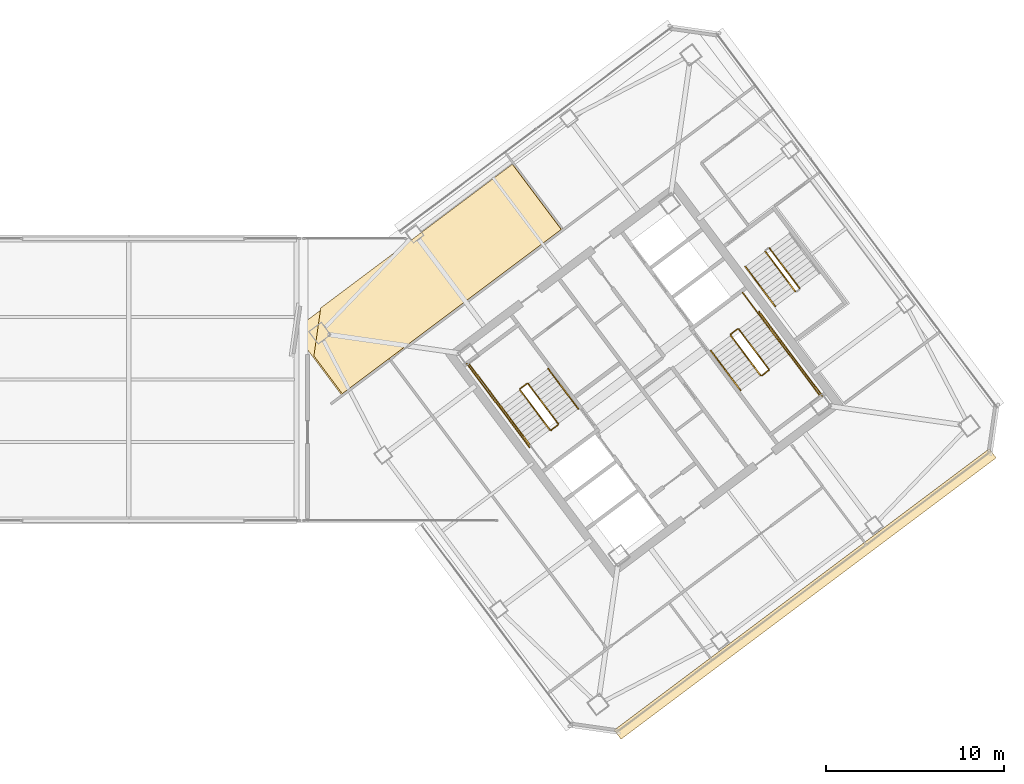
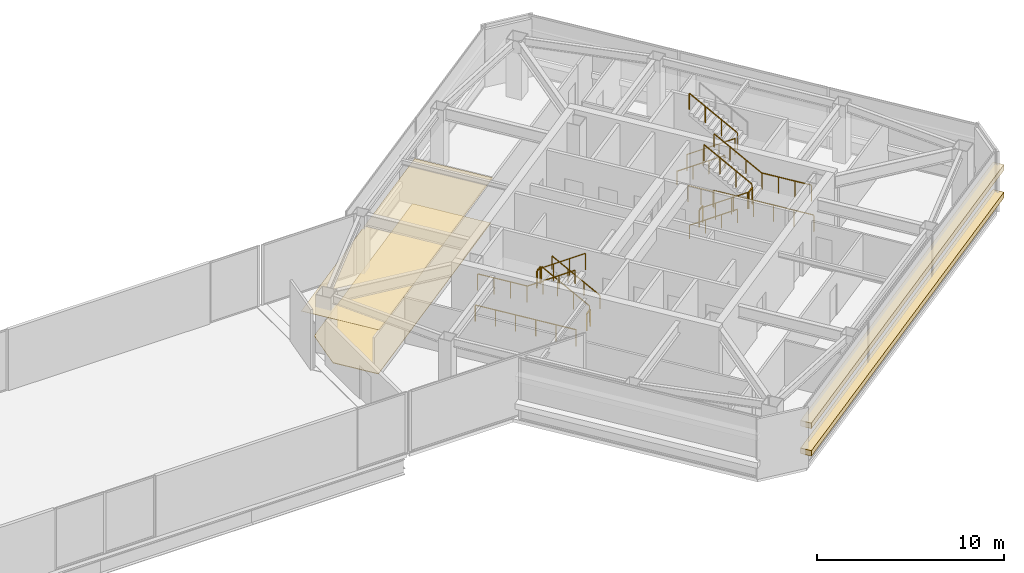
# One storey, part 48 of 51: 20 railings, 4 coverings.
"""IFC4 building model written with IfcOpenShell, lengths in metres."""

from ifc_helpers import new_model, si_unit, direction, frame, origin, origin_2d, place, context, subcontext, project, spatial, polyline, rectangle, outline, extrude, material, layer, layer_set, type_object, element, save


model = new_model("IFC4")

# Units and contexts
model_context = context("Model", 3, precision=1e-05, world=origin(), true_north=direction((0.0, 1.0)))
body_context = subcontext(model_context, "Body", "Model", "MODEL_VIEW")
ifc_project = project(units=[si_unit("LENGTHUNIT", "METRE"), si_unit("AREAUNIT", "SQUARE_METRE"), si_unit("VOLUMEUNIT", "CUBIC_METRE"), si_unit("PLANEANGLEUNIT", "RADIAN"), si_unit("MASSUNIT", "GRAM", prefix="KILO")], contexts=[model_context])

# Site, building, storey
site_placement = place(None, origin())
site = spatial("IfcSite", under=ifc_project, at=site_placement, CompositionType="ELEMENT")
building_placement = place(site_placement, origin())
building = spatial("IfcBuilding", under=site, at=building_placement, Name="Tashvorn Skyway Center", CompositionType="ELEMENT")
storey_placement = place(building_placement, frame((0.0, 0.0, 251.39990234375)))
storey = spatial("IfcBuildingStorey", under=building, at=storey_placement, Name="L68", CompositionType="ELEMENT", Elevation=251.39990234375)

# Coverings
ifc_material_1 = material(Name="Mineral-fibre acoustic ceiling tile on suspended grid")
ifc_layer_1 = layer(ifc_material_1, 0.02001953125)
ifc_layer_set_1 = layer_set([ifc_layer_1], Name="Mineral-fibre acoustic ceiling tile on suspended grid")
covering_type_1 = type_object("IfcCoveringType", Name="COV-CEIL-20", PredefinedType="CEILING", material=ifc_layer_set_1)
covering_1_placement = place(storey_placement, frame((0.0, 0.0, 2.951171875)))
element("IfcCovering", 1, at=covering_1_placement, inside=storey, type_object=covering_type_1, Name="Tower 2 L68 Executive Suite Acoustic Ceiling", PredefinedType="CEILING", context=body_context, shape_type="SweptSolid", body=[
    extrude(outline(polyline([(97.050048828125, 31.10009765625), (109.449951171875, 40.39990234375), (106.719970703125, 44.0400390625), (94.320068359375, 34.739990234375), (97.050048828125, 31.10009765625)])), origin(), (0.0, 0.0, 1.0), 0.02001953125),
])
ifc_material_2 = material(Name="Polished Mojave desert-aggregate terrazzo and cover plate")
ifc_layer_2 = layer(ifc_material_2, 0.0400390625)
ifc_layer_set_2 = layer_set([ifc_layer_2], Name="Polished Mojave desert-aggregate terrazzo and cover plate")
covering_type_2 = type_object("IfcCoveringType", Name="COV-FLR-40", PredefinedType="FLOORING", material=ifc_layer_set_2)
covering_2_placement = place(storey_placement, origin())
element("IfcCovering", 2, at=covering_2_placement, inside=storey, type_object=covering_type_2, Name="Tower 2 L68 Executive Suite Finish Flooring", PredefinedType="FLOORING", context=body_context, shape_type="SweptSolid", body=[
    extrude(outline(polyline([(109.337890625, 40.416015625), (97.06591796875, 31.2119140625), (95.47607421875, 33.33203125), (95.860107421875, 36.02001953125), (106.595947265625, 44.072021484375), (109.337890625, 40.416015625)])), origin(), (0.0, 0.0, 1.0), 0.0400390625),
])
ifc_material_3 = material(Name="Perforated ceramic-coated bronze aluminium solar screen", Category="aluminium")
ifc_layer_3 = layer(ifc_material_3, 0.85009765625)
ifc_layer_set_3 = layer_set([ifc_layer_3], Name="Perforated ceramic-coated bronze aluminium solar screen")
covering_type_3 = type_object("IfcCoveringType", Name="COV-SOLAR-BAND", PredefinedType="CLADDING", material=ifc_layer_set_3)
for number, where, z_axis, x_axis, name in (
    (3, (123.011962890625, 19.98388671875, 0.919921875), (0.0, 0.0, 1.0), (-0.799999996291, -0.600000004945, 0.0), "L68 Perforated Ceramic-Metal Solar Screen Louvre Band South 1"),
    (4, (123.011962890625, 19.98388671875, 2.72021484375), (0.0, 0.0, 1.0), (-0.799999996291, -0.600000004945, 0.0), "L68 Perforated Ceramic-Metal Solar Screen Louvre Band South 2"),
):
    element("IfcCovering", number, at=place(storey_placement, frame(where, z_axis=z_axis, x_axis=x_axis)), inside=storey, type_object=covering_type_3, Name=name, PredefinedType="CLADDING", context=body_context, shape_type="SweptSolid", body=[
        extrude(rectangle(XDim=26.280029296875, YDim=0.639892578125, at=origin_2d()), origin(), (0.0, 0.0, 1.0), 0.360107421875),
    ])

# Railings
ifc_material_4 = material(Name="Brushed stainless steel 316", Category="steel")
railing_type_1 = type_object("IfcRailingType", Name="RAIL-HAND-920", PredefinedType="HANDRAIL", material=ifc_material_4)
railing_1_placement = place(storey_placement, frame((110.2880859375, 30.365966796875, 0.181884765625)))
element("IfcRailing", 5, at=railing_1_placement, inside=storey, type_object=railing_type_1, Name="L68 ST-T2-1 stair handrail 1", PredefinedType="HANDRAIL", context=body_context, shape_type="SweptSolid", body=[
    extrude(rectangle(XDim=0.048095703125, YDim=0.048095703125, at=origin_2d()), frame((0.0, 0.0, 0.8759765625), z_axis=(-0.503261200553, 0.670941806899, 0.544578052967), x_axis=(-0.799968610491, -0.600041850398, 0.0)), (0.0, 0.0, 1.0), 3.338623046875),
    extrude(rectangle(XDim=0.0419921875, YDim=0.0419921875, at=origin_2d()), origin(), (0.0, 0.0, 1.0), 0.851806640625),
    extrude(rectangle(XDim=0.0419921875, YDim=0.0419921875, at=origin_2d()), frame((-0.56005859375, 0.74658203125, 0.60595703125)), (0.0, 0.0, 1.0), 0.851806640625),
    extrude(rectangle(XDim=0.0419921875, YDim=0.0419921875, at=origin_2d()), frame((-1.1201171875, 1.493408203125, 1.212158203125)), (0.0, 0.0, 1.0), 0.851806640625),
    extrude(rectangle(XDim=0.0419921875, YDim=0.0419921875, at=origin_2d()), frame((-1.68017578125, 2.239990234375, 1.818115234375)), (0.0, 0.0, 1.0), 0.851806640625),
])
railing_2_placement = place(storey_placement, frame((105.904052734375, 30.577880859375, 2.181884765625)))
element("IfcRailing", 6, at=railing_2_placement, inside=storey, type_object=railing_type_1, Name="L68 ST-T2-1 stair handrail 2", PredefinedType="HANDRAIL", context=body_context, shape_type="SweptSolid", body=[
    extrude(rectangle(XDim=0.048095703125, YDim=0.048095703125, at=origin_2d()), frame((0.0, 0.0, 0.8759765625), z_axis=(0.50320659142, -0.670966498514, 0.544598094216), x_axis=(0.80001046323, 0.599986048773, 0.0)), (0.0, 0.0, 1.0), 3.33837890625),
    extrude(rectangle(XDim=0.0419921875, YDim=0.0419921875, at=origin_2d()), origin(), (0.0, 0.0, 1.0), 0.851806640625),
    extrude(rectangle(XDim=0.0419921875, YDim=0.0419921875, at=origin_2d()), frame((0.56005859375, -0.74658203125, 0.60595703125)), (0.0, 0.0, 1.0), 0.851806640625),
    extrude(rectangle(XDim=0.0419921875, YDim=0.0419921875, at=origin_2d()), frame((1.119873046875, -1.493408203125, 1.212158203125)), (0.0, 0.0, 1.0), 0.851806640625),
    extrude(rectangle(XDim=0.0419921875, YDim=0.0419921875, at=origin_2d()), frame((1.679931640625, -2.239990234375, 1.818115234375)), (0.0, 0.0, 1.0), 0.851806640625),
])
railing_3_placement = place(storey_placement, frame((117.7119140625, 33.634033203125, 0.181884765625)))
element("IfcRailing", 7, at=railing_3_placement, inside=storey, type_object=railing_type_1, Name="L68 ST-T2-2 stair handrail 1", PredefinedType="HANDRAIL", context=body_context, shape_type="SweptSolid", body=[
    extrude(rectangle(XDim=0.048095703125, YDim=0.048095703125, at=origin_2d()), frame((0.0, 0.0, 0.8759765625), z_axis=(0.503261200553, -0.670941806899, 0.544578052967), x_axis=(0.799968610491, 0.600041850398, 0.0)), (0.0, 0.0, 1.0), 3.338623046875),
    extrude(rectangle(XDim=0.0419921875, YDim=0.0419921875, at=origin_2d()), origin(), (0.0, 0.0, 1.0), 0.851806640625),
    extrude(rectangle(XDim=0.0419921875, YDim=0.0419921875, at=origin_2d()), frame((0.56005859375, -0.74658203125, 0.60595703125)), (0.0, 0.0, 1.0), 0.851806640625),
    extrude(rectangle(XDim=0.0419921875, YDim=0.0419921875, at=origin_2d()), frame((1.1201171875, -1.493408203125, 1.212158203125)), (0.0, 0.0, 1.0), 0.851806640625),
    extrude(rectangle(XDim=0.0419921875, YDim=0.0419921875, at=origin_2d()), frame((1.68017578125, -2.239990234375, 1.818115234375)), (0.0, 0.0, 1.0), 0.851806640625),
])
railing_4_placement = place(storey_placement, frame((122.095947265625, 33.422119140625, 2.181884765625)))
element("IfcRailing", 8, at=railing_4_placement, inside=storey, type_object=railing_type_1, Name="L68 ST-T2-2 stair handrail 2", PredefinedType="HANDRAIL", context=body_context, shape_type="SweptSolid", body=[
    extrude(rectangle(XDim=0.048095703125, YDim=0.048095703125, at=origin_2d()), frame((0.0, 0.0, 0.8759765625), z_axis=(-0.50320659142, 0.670966498514, 0.544598094216), x_axis=(-0.80001046323, -0.599986048773, 0.0)), (0.0, 0.0, 1.0), 3.33837890625),
    extrude(rectangle(XDim=0.0419921875, YDim=0.0419921875, at=origin_2d()), origin(), (0.0, 0.0, 1.0), 0.851806640625),
    extrude(rectangle(XDim=0.0419921875, YDim=0.0419921875, at=origin_2d()), frame((-0.56005859375, 0.74658203125, 0.60595703125)), (0.0, 0.0, 1.0), 0.851806640625),
    extrude(rectangle(XDim=0.0419921875, YDim=0.0419921875, at=origin_2d()), frame((-1.119873046875, 1.493408203125, 1.212158203125)), (0.0, 0.0, 1.0), 0.851806640625),
    extrude(rectangle(XDim=0.0419921875, YDim=0.0419921875, at=origin_2d()), frame((-1.679931640625, 2.239990234375, 1.818115234375)), (0.0, 0.0, 1.0), 0.851806640625),
])
railing_5_placement = place(storey_placement, frame((119.656005859375, 38.342041015625, 0.181884765625)))
element("IfcRailing", 9, at=railing_5_placement, inside=storey, type_object=railing_type_1, Name="L68 ST-T2-3 stair handrail 1", PredefinedType="HANDRAIL", context=body_context, shape_type="SweptSolid", body=[
    extrude(rectangle(XDim=0.048095703125, YDim=0.048095703125, at=origin_2d()), frame((0.0, 0.0, 0.8759765625), z_axis=(0.50320659142, -0.670966498514, 0.544598094216), x_axis=(0.80001046323, 0.599986048773, 0.0)), (0.0, 0.0, 1.0), 3.33837890625),
    extrude(rectangle(XDim=0.0419921875, YDim=0.0419921875, at=origin_2d()), origin(), (0.0, 0.0, 1.0), 0.851806640625),
    extrude(rectangle(XDim=0.0419921875, YDim=0.0419921875, at=origin_2d()), frame((0.56005859375, -0.74658203125, 0.60595703125)), (0.0, 0.0, 1.0), 0.851806640625),
    extrude(rectangle(XDim=0.0419921875, YDim=0.0419921875, at=origin_2d()), frame((1.119873046875, -1.493408203125, 1.212158203125)), (0.0, 0.0, 1.0), 0.851806640625),
    extrude(rectangle(XDim=0.0419921875, YDim=0.0419921875, at=origin_2d()), frame((1.679931640625, -2.239990234375, 1.818115234375)), (0.0, 0.0, 1.0), 0.851806640625),
])
ifc_material_5 = material(Name="Painted galvanized steel S355", Category="steel")
railing_type_2 = type_object("IfcRailingType", Name="RAIL-STGUARD-1100", PredefinedType="GUARDRAIL", material=ifc_material_5)
railing_6_placement = place(storey_placement, frame((109.16796875, 29.52587890625, 0.181884765625)))
element("IfcRailing", 10, at=railing_6_placement, inside=storey, type_object=railing_type_2, Name="L68 ST-T2-1 stair guard 1", PredefinedType="GUARDRAIL", context=body_context, shape_type="SweptSolid", body=[
    extrude(rectangle(XDim=0.048095703125, YDim=0.048095703125, at=origin_2d()), frame((0.0, 0.0, 1.076171875), z_axis=(-0.503181900707, 0.671006702643, 0.544571372557), x_axis=(-0.800041848543, -0.599944197888, 0.0)), (0.0, 0.0, 1.0), 3.338623046875),
    extrude(rectangle(XDim=0.0419921875, YDim=0.0419921875, at=origin_2d()), origin(), (0.0, 0.0, 1.0), 1.052001953125),
    extrude(rectangle(XDim=0.0419921875, YDim=0.0419921875, at=origin_2d()), frame((-0.56005859375, 0.746826171875, 0.60595703125)), (0.0, 0.0, 1.0), 1.052001953125),
    extrude(rectangle(XDim=0.0419921875, YDim=0.0419921875, at=origin_2d()), frame((-1.119873046875, 1.493408203125, 1.212158203125)), (0.0, 0.0, 1.0), 1.052001953125),
    extrude(rectangle(XDim=0.0419921875, YDim=0.0419921875, at=origin_2d()), frame((-1.679931640625, 2.240234375, 1.818115234375)), (0.0, 0.0, 1.0), 1.052001953125),
])
railing_7_placement = place(storey_placement, frame((107.41796875, 31.77587890625, 2.0)))
element("IfcRailing", 11, at=railing_7_placement, inside=storey, type_object=railing_type_2, Name="L68 ST-T2-1 stair guard 2", PredefinedType="GUARDRAIL", context=body_context, shape_type="SweptSolid", body=[
    extrude(rectangle(XDim=0.048095703125, YDim=0.048095703125, at=origin_2d()), frame((0.0, 0.0, 1.076171875), z_axis=(-0.800183094277, -0.599755796664, 0.0), x_axis=(0.599755796664, -0.800183094277, 0.0)), (0.0, 0.0, 1.0), 0.47998046875),
    extrude(rectangle(XDim=0.0419921875, YDim=0.0419921875, at=origin_2d()), origin(), (0.0, 0.0, 1.0), 1.052001953125),
    extrude(rectangle(XDim=0.0419921875, YDim=0.0419921875, at=origin_2d()), frame((-0.384033203125, -0.287841796875, 0.0)), (0.0, 0.0, 1.0), 1.052001953125),
])
railing_8_placement = place(storey_placement, frame((105.904052734375, 30.577880859375, 2.0)))
element("IfcRailing", 12, at=railing_8_placement, inside=storey, type_object=railing_type_2, Name="L68 ST-T2-1 stair guard 3", PredefinedType="GUARDRAIL", context=body_context, shape_type="SweptSolid", body=[
    extrude(rectangle(XDim=0.048095703125, YDim=0.048095703125, at=origin_2d()), frame((0.0, 0.0, 1.076171875), z_axis=(-0.599972874575, 0.800020343351, 0.0), x_axis=(-0.800020343351, -0.599972874575, 0.0)), (0.0, 0.0, 1.0), 2.880126953125),
    extrude(rectangle(XDim=0.0419921875, YDim=0.0419921875, at=origin_2d()), origin(), (0.0, 0.0, 1.0), 1.052001953125),
    extrude(rectangle(XDim=0.0419921875, YDim=0.0419921875, at=origin_2d()), frame((-0.575927734375, 0.76806640625, 0.0)), (0.0, 0.0, 1.0), 1.052001953125),
    extrude(rectangle(XDim=0.0419921875, YDim=0.0419921875, at=origin_2d()), frame((-1.152099609375, 1.5361328125, 0.0)), (0.0, 0.0, 1.0), 1.052001953125),
    extrude(rectangle(XDim=0.0419921875, YDim=0.0419921875, at=origin_2d()), frame((-1.72802734375, 2.30419921875, 0.0)), (0.0, 0.0, 1.0), 1.052001953125),
])
railing_9_placement = place(storey_placement, frame((107.02392578125, 31.41796875, 2.181884765625)))
element("IfcRailing", 13, at=railing_9_placement, inside=storey, type_object=railing_type_2, Name="L68 ST-T2-1 stair guard 4", PredefinedType="GUARDRAIL", context=body_context, shape_type="SweptSolid", body=[
    extrude(rectangle(XDim=0.048095703125, YDim=0.048095703125, at=origin_2d()), frame((0.0, 0.0, 1.076171875), z_axis=(0.503261200553, -0.670941806899, 0.544578052967), x_axis=(0.799968610491, 0.600041850398, 0.0)), (0.0, 0.0, 1.0), 3.338623046875),
    extrude(rectangle(XDim=0.0419921875, YDim=0.0419921875, at=origin_2d()), origin(), (0.0, 0.0, 1.0), 1.052001953125),
    extrude(rectangle(XDim=0.0419921875, YDim=0.0419921875, at=origin_2d()), frame((0.56005859375, -0.74658203125, 0.60595703125)), (0.0, 0.0, 1.0), 1.052001953125),
    extrude(rectangle(XDim=0.0419921875, YDim=0.0419921875, at=origin_2d()), frame((1.1201171875, -1.493408203125, 1.212158203125)), (0.0, 0.0, 1.0), 1.052001953125),
    extrude(rectangle(XDim=0.0419921875, YDim=0.0419921875, at=origin_2d()), frame((1.68017578125, -2.239990234375, 1.818115234375)), (0.0, 0.0, 1.0), 1.052001953125),
])
railing_10_placement = place(storey_placement, frame((109.157958984375, 29.4560546875, 0.0)))
element("IfcRailing", 14, at=railing_10_placement, inside=storey, type_object=railing_type_2, Name="L68 ST-T2-1 stair guard 5", PredefinedType="GUARDRAIL", context=body_context, shape_type="SweptSolid", body=[
    extrude(rectangle(XDim=0.048095703125, YDim=0.048095703125, at=origin_2d()), frame((0.0, 0.0, 1.076171875), z_axis=(-0.799938970639, -0.600081363861, 0.0), x_axis=(0.600081363861, -0.799938970639, 0.0)), (0.0, 0.0, 1.0), 0.47998046875),
    extrude(rectangle(XDim=0.0419921875, YDim=0.0419921875, at=origin_2d()), origin(), (0.0, 0.0, 1.0), 1.052001953125),
    extrude(rectangle(XDim=0.0419921875, YDim=0.0419921875, at=origin_2d()), frame((-0.384033203125, -0.2880859375, 0.0)), (0.0, 0.0, 1.0), 1.052001953125),
])
railing_11_placement = place(storey_placement, frame((107.56396484375, 28.197998046875, 0.0)))
element("IfcRailing", 15, at=railing_11_placement, inside=storey, type_object=railing_type_2, Name="L68 ST-T2-1 stair guard 7", PredefinedType="GUARDRAIL", context=body_context, shape_type="SweptSolid", body=[
    extrude(rectangle(XDim=0.048095703125, YDim=0.048095703125, at=origin_2d()), frame((0.0, 0.0, 1.076171875), z_axis=(-0.6, 0.8, 0.0), x_axis=(-0.8, -0.6, 0.0)), (0.0, 0.0, 1.0), 5.880126953125),
    extrude(rectangle(XDim=0.0419921875, YDim=0.0419921875, at=origin_2d()), origin(), (0.0, 0.0, 1.0), 1.052001953125),
    extrude(rectangle(XDim=0.0419921875, YDim=0.0419921875, at=origin_2d()), frame((-0.70556640625, 0.94091796875, 0.0)), (0.0, 0.0, 1.0), 1.052001953125),
    extrude(rectangle(XDim=0.0419921875, YDim=0.0419921875, at=origin_2d()), frame((-1.4111328125, 1.881591796875, 0.0)), (0.0, 0.0, 1.0), 1.052001953125),
    extrude(rectangle(XDim=0.0419921875, YDim=0.0419921875, at=origin_2d()), frame((-2.116943359375, 2.822509765625, 0.0)), (0.0, 0.0, 1.0), 1.052001953125),
    extrude(rectangle(XDim=0.0419921875, YDim=0.0419921875, at=origin_2d()), frame((-2.822509765625, 3.76318359375, 0.0)), (0.0, 0.0, 1.0), 1.052001953125),
    extrude(rectangle(XDim=0.0419921875, YDim=0.0419921875, at=origin_2d()), frame((-3.528076171875, 4.7041015625, 0.0)), (0.0, 0.0, 1.0), 1.052001953125),
])
railing_12_placement = place(storey_placement, frame((118.83203125, 34.47412109375, 0.181884765625)))
element("IfcRailing", 16, at=railing_12_placement, inside=storey, type_object=railing_type_2, Name="L68 ST-T2-2 stair guard 1", PredefinedType="GUARDRAIL", context=body_context, shape_type="SweptSolid", body=[
    extrude(rectangle(XDim=0.048095703125, YDim=0.048095703125, at=origin_2d()), frame((0.0, 0.0, 1.076171875), z_axis=(0.503181900707, -0.671006702643, 0.544571372557), x_axis=(0.800041848543, 0.599944197888, 0.0)), (0.0, 0.0, 1.0), 3.338623046875),
    extrude(rectangle(XDim=0.0419921875, YDim=0.0419921875, at=origin_2d()), origin(), (0.0, 0.0, 1.0), 1.052001953125),
    extrude(rectangle(XDim=0.0419921875, YDim=0.0419921875, at=origin_2d()), frame((0.56005859375, -0.746826171875, 0.60595703125)), (0.0, 0.0, 1.0), 1.052001953125),
    extrude(rectangle(XDim=0.0419921875, YDim=0.0419921875, at=origin_2d()), frame((1.119873046875, -1.493408203125, 1.212158203125)), (0.0, 0.0, 1.0), 1.052001953125),
    extrude(rectangle(XDim=0.0419921875, YDim=0.0419921875, at=origin_2d()), frame((1.679931640625, -2.240234375, 1.818115234375)), (0.0, 0.0, 1.0), 1.052001953125),
])
railing_13_placement = place(storey_placement, frame((120.58203125, 32.22412109375, 2.0)))
element("IfcRailing", 17, at=railing_13_placement, inside=storey, type_object=railing_type_2, Name="L68 ST-T2-2 stair guard 2", PredefinedType="GUARDRAIL", context=body_context, shape_type="SweptSolid", body=[
    extrude(rectangle(XDim=0.048095703125, YDim=0.048095703125, at=origin_2d()), frame((0.0, 0.0, 1.076171875), z_axis=(0.800183094277, 0.599755796664, 0.0), x_axis=(-0.599755796664, 0.800183094277, 0.0)), (0.0, 0.0, 1.0), 0.47998046875),
    extrude(rectangle(XDim=0.0419921875, YDim=0.0419921875, at=origin_2d()), origin(), (0.0, 0.0, 1.0), 1.052001953125),
    extrude(rectangle(XDim=0.0419921875, YDim=0.0419921875, at=origin_2d()), frame((0.384033203125, 0.287841796875, 0.0)), (0.0, 0.0, 1.0), 1.052001953125),
])
railing_14_placement = place(storey_placement, frame((122.095947265625, 33.422119140625, 2.0)))
element("IfcRailing", 18, at=railing_14_placement, inside=storey, type_object=railing_type_2, Name="L68 ST-T2-2 stair guard 3", PredefinedType="GUARDRAIL", context=body_context, shape_type="SweptSolid", body=[
    extrude(rectangle(XDim=0.048095703125, YDim=0.048095703125, at=origin_2d()), frame((0.0, 0.0, 1.076171875), z_axis=(0.599972874575, -0.800020343351, 0.0), x_axis=(0.800020343351, 0.599972874575, 0.0)), (0.0, 0.0, 1.0), 2.880126953125),
    extrude(rectangle(XDim=0.0419921875, YDim=0.0419921875, at=origin_2d()), origin(), (0.0, 0.0, 1.0), 1.052001953125),
    extrude(rectangle(XDim=0.0419921875, YDim=0.0419921875, at=origin_2d()), frame((0.575927734375, -0.76806640625, 0.0)), (0.0, 0.0, 1.0), 1.052001953125),
    extrude(rectangle(XDim=0.0419921875, YDim=0.0419921875, at=origin_2d()), frame((1.152099609375, -1.5361328125, 0.0)), (0.0, 0.0, 1.0), 1.052001953125),
    extrude(rectangle(XDim=0.0419921875, YDim=0.0419921875, at=origin_2d()), frame((1.72802734375, -2.30419921875, 0.0)), (0.0, 0.0, 1.0), 1.052001953125),
])
railing_15_placement = place(storey_placement, frame((120.97607421875, 32.58203125, 2.181884765625)))
element("IfcRailing", 19, at=railing_15_placement, inside=storey, type_object=railing_type_2, Name="L68 ST-T2-2 stair guard 4", PredefinedType="GUARDRAIL", context=body_context, shape_type="SweptSolid", body=[
    extrude(rectangle(XDim=0.048095703125, YDim=0.048095703125, at=origin_2d()), frame((0.0, 0.0, 1.076171875), z_axis=(-0.503261200553, 0.670941806899, 0.544578052967), x_axis=(-0.799968610491, -0.600041850398, 0.0)), (0.0, 0.0, 1.0), 3.338623046875),
    extrude(rectangle(XDim=0.0419921875, YDim=0.0419921875, at=origin_2d()), origin(), (0.0, 0.0, 1.0), 1.052001953125),
    extrude(rectangle(XDim=0.0419921875, YDim=0.0419921875, at=origin_2d()), frame((-0.56005859375, 0.74658203125, 0.60595703125)), (0.0, 0.0, 1.0), 1.052001953125),
    extrude(rectangle(XDim=0.0419921875, YDim=0.0419921875, at=origin_2d()), frame((-1.1201171875, 1.493408203125, 1.212158203125)), (0.0, 0.0, 1.0), 1.052001953125),
    extrude(rectangle(XDim=0.0419921875, YDim=0.0419921875, at=origin_2d()), frame((-1.68017578125, 2.239990234375, 1.818115234375)), (0.0, 0.0, 1.0), 1.052001953125),
])
railing_16_placement = place(storey_placement, frame((118.842041015625, 34.5439453125, 0.0)))
element("IfcRailing", 20, at=railing_16_placement, inside=storey, type_object=railing_type_2, Name="L68 ST-T2-2 stair guard 5", PredefinedType="GUARDRAIL", context=body_context, shape_type="SweptSolid", body=[
    extrude(rectangle(XDim=0.048095703125, YDim=0.048095703125, at=origin_2d()), frame((0.0, 0.0, 1.076171875), z_axis=(0.799938970639, 0.600081363861, 0.0), x_axis=(-0.600081363861, 0.799938970639, 0.0)), (0.0, 0.0, 1.0), 0.47998046875),
    extrude(rectangle(XDim=0.0419921875, YDim=0.0419921875, at=origin_2d()), origin(), (0.0, 0.0, 1.0), 1.052001953125),
    extrude(rectangle(XDim=0.0419921875, YDim=0.0419921875, at=origin_2d()), frame((0.384033203125, 0.2880859375, 0.0)), (0.0, 0.0, 1.0), 1.052001953125),
])
railing_17_placement = place(storey_placement, frame((119.50390625, 36.8779296875, 0.0)))
element("IfcRailing", 21, at=railing_17_placement, inside=storey, type_object=railing_type_2, Name="L68 ST-T2-2 stair guard 6", PredefinedType="GUARDRAIL", context=body_context, shape_type="SweptSolid", body=[
    extrude(rectangle(XDim=0.048095703125, YDim=0.048095703125, at=origin_2d()), frame((0.0, 0.0, 1.076171875), z_axis=(0.600102796382, -0.799922892393, 0.0), x_axis=(0.799922892393, 0.600102796382, 0.0)), (0.0, 0.0, 1.0), 1.52001953125),
    extrude(rectangle(XDim=0.0419921875, YDim=0.0419921875, at=origin_2d()), origin(), (0.0, 0.0, 1.0), 1.052001953125),
    extrude(rectangle(XDim=0.0419921875, YDim=0.0419921875, at=origin_2d()), frame((0.4560546875, -0.60791015625, 0.0)), (0.0, 0.0, 1.0), 1.052001953125),
    extrude(rectangle(XDim=0.0419921875, YDim=0.0419921875, at=origin_2d()), frame((0.912109375, -1.2158203125, 0.0)), (0.0, 0.0, 1.0), 1.052001953125),
])
railing_18_placement = place(storey_placement, frame((120.43603515625, 35.802001953125, 0.0)))
element("IfcRailing", 22, at=railing_18_placement, inside=storey, type_object=railing_type_2, Name="L68 ST-T2-2 stair guard 7", PredefinedType="GUARDRAIL", context=body_context, shape_type="SweptSolid", body=[
    extrude(rectangle(XDim=0.048095703125, YDim=0.048095703125, at=origin_2d()), frame((0.0, 0.0, 1.076171875), z_axis=(0.6, -0.8, 0.0), x_axis=(0.8, 0.6, 0.0)), (0.0, 0.0, 1.0), 5.880126953125),
    extrude(rectangle(XDim=0.0419921875, YDim=0.0419921875, at=origin_2d()), origin(), (0.0, 0.0, 1.0), 1.052001953125),
    extrude(rectangle(XDim=0.0419921875, YDim=0.0419921875, at=origin_2d()), frame((0.70556640625, -0.94091796875, 0.0)), (0.0, 0.0, 1.0), 1.052001953125),
    extrude(rectangle(XDim=0.0419921875, YDim=0.0419921875, at=origin_2d()), frame((1.4111328125, -1.881591796875, 0.0)), (0.0, 0.0, 1.0), 1.052001953125),
    extrude(rectangle(XDim=0.0419921875, YDim=0.0419921875, at=origin_2d()), frame((2.116943359375, -2.822509765625, 0.0)), (0.0, 0.0, 1.0), 1.052001953125),
    extrude(rectangle(XDim=0.0419921875, YDim=0.0419921875, at=origin_2d()), frame((2.822509765625, -3.76318359375, 0.0)), (0.0, 0.0, 1.0), 1.052001953125),
    extrude(rectangle(XDim=0.0419921875, YDim=0.0419921875, at=origin_2d()), frame((3.528076171875, -4.7041015625, 0.0)), (0.0, 0.0, 1.0), 1.052001953125),
])
railing_19_placement = place(storey_placement, frame((120.77587890625, 39.181884765625, 0.181884765625)))
element("IfcRailing", 23, at=railing_19_placement, inside=storey, type_object=railing_type_2, Name="L68 ST-T2-3 stair guard 1", PredefinedType="GUARDRAIL", context=body_context, shape_type="SweptSolid", body=[
    extrude(rectangle(XDim=0.048095703125, YDim=0.048095703125, at=origin_2d()), frame((0.0, 0.0, 1.076171875), z_axis=(0.503261200553, -0.670941806899, 0.544578052967), x_axis=(0.799968610491, 0.600041850398, 0.0)), (0.0, 0.0, 1.0), 3.338623046875),
    extrude(rectangle(XDim=0.0419921875, YDim=0.0419921875, at=origin_2d()), origin(), (0.0, 0.0, 1.0), 1.052001953125),
    extrude(rectangle(XDim=0.0419921875, YDim=0.0419921875, at=origin_2d()), frame((0.56005859375, -0.74658203125, 0.60595703125)), (0.0, 0.0, 1.0), 1.052001953125),
    extrude(rectangle(XDim=0.0419921875, YDim=0.0419921875, at=origin_2d()), frame((1.1201171875, -1.493408203125, 1.212158203125)), (0.0, 0.0, 1.0), 1.052001953125),
    extrude(rectangle(XDim=0.0419921875, YDim=0.0419921875, at=origin_2d()), frame((1.68017578125, -2.239990234375, 1.818115234375)), (0.0, 0.0, 1.0), 1.052001953125),
])
railing_20_placement = place(storey_placement, frame((122.696044921875, 37.1220703125, 2.181884765625)))
element("IfcRailing", 24, at=railing_20_placement, inside=storey, type_object=railing_type_2, Name="L68 ST-T2-3 stair guard 3", PredefinedType="GUARDRAIL", context=body_context, shape_type="SweptSolid", body=[
    extrude(rectangle(XDim=0.048095703125, YDim=0.048095703125, at=origin_2d()), frame((0.0, 0.0, 1.076171875), z_axis=(-0.50320659142, 0.670966498514, 0.544598094216), x_axis=(-0.80001046323, -0.599986048773, 0.0)), (0.0, 0.0, 1.0), 3.33837890625),
    extrude(rectangle(XDim=0.0419921875, YDim=0.0419921875, at=origin_2d()), origin(), (0.0, 0.0, 1.0), 1.052001953125),
    extrude(rectangle(XDim=0.0419921875, YDim=0.0419921875, at=origin_2d()), frame((-0.56005859375, 0.74658203125, 0.60595703125)), (0.0, 0.0, 1.0), 1.052001953125),
    extrude(rectangle(XDim=0.0419921875, YDim=0.0419921875, at=origin_2d()), frame((-1.119873046875, 1.493408203125, 1.212158203125)), (0.0, 0.0, 1.0), 1.052001953125),
    extrude(rectangle(XDim=0.0419921875, YDim=0.0419921875, at=origin_2d()), frame((-1.679931640625, 2.239990234375, 1.818115234375)), (0.0, 0.0, 1.0), 1.052001953125),
])

save(model, "model.ifc")
